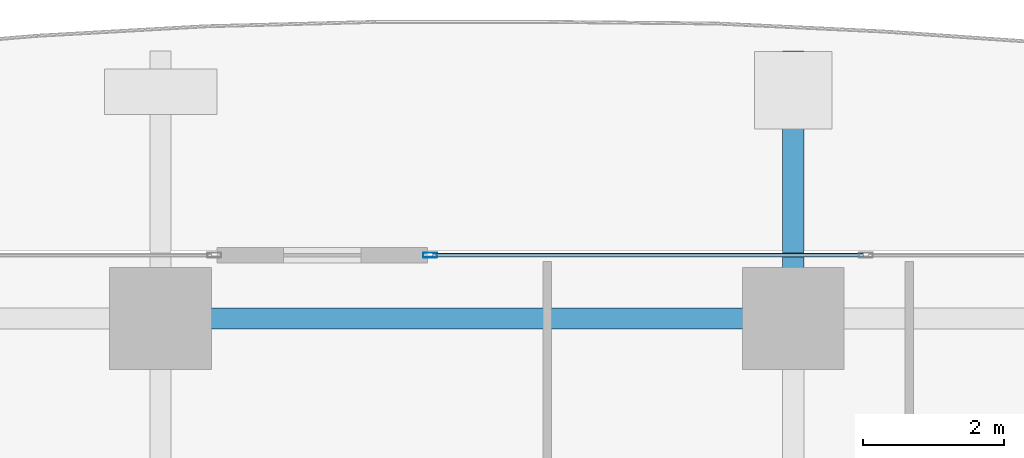
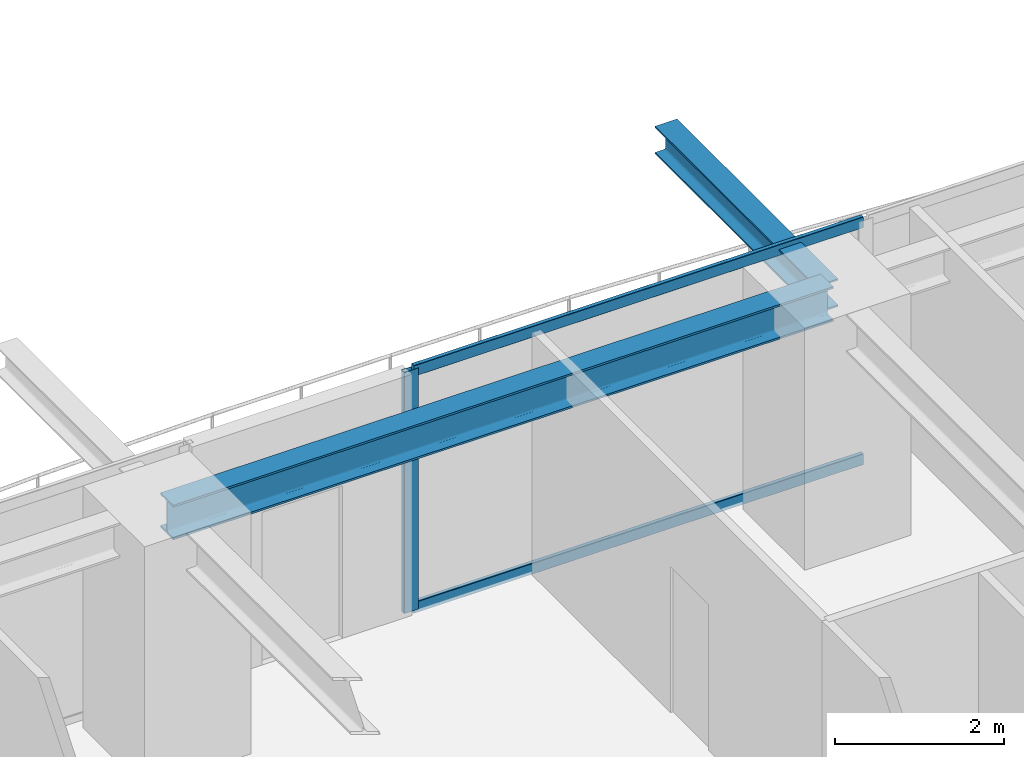
# One storey, part 21 of 38: 3 members, 2 beams, 1 element without a shape of its own.
"""IFC4 building model written with IfcOpenShell, lengths in metres."""

from ifc_helpers import new_model, si_unit, direction, frame, origin, origin_2d, place, context, subcontext, project, spatial, hollow_rectangle, i_section, extrude, source, transform, mapped, material, layer, layer_set, material_profile, profile_set, type_object, element, aggregate, save


model = new_model("IFC4")

# Units and contexts
model_context = context("Model", 3, precision=1e-05, world=origin(), true_north=direction((0.0, 1.0)))
body_context = subcontext(model_context, "Body", "Model", "MODEL_VIEW")
ifc_project = project(units=[si_unit("LENGTHUNIT", "METRE"), si_unit("AREAUNIT", "SQUARE_METRE"), si_unit("VOLUMEUNIT", "CUBIC_METRE"), si_unit("PLANEANGLEUNIT", "RADIAN"), si_unit("MASSUNIT", "GRAM", prefix="KILO")], contexts=[model_context])

# Site, building, storey
site_placement = place(None, origin())
site = spatial("IfcSite", under=ifc_project, at=site_placement, CompositionType="ELEMENT")
building_placement = place(site_placement, origin())
building = spatial("IfcBuilding", under=site, at=building_placement, Name="Serunith Strait Residences", CompositionType="ELEMENT")
storey_placement = place(building_placement, frame((0.0, 0.0, 67.949951171875)))
storey = spatial("IfcBuildingStorey", under=building, at=storey_placement, Name="L16", CompositionType="ELEMENT", Elevation=67.949951171875)

# Beams
ifc_material_1 = material(Name="Steel S355J2", Category="steel")
ifc_material_profile_1 = material_profile(ifc_material_1, i_section(OverallWidth=0.300048828125, OverallDepth=0.5, WebThickness=0.014404296875, FlangeThickness=0.028076171875, FilletRadius=0.027099609375, at=origin_2d()), Name="HEB 500")
ifc_profile_set_1 = profile_set([ifc_material_profile_1], Name="Steel S355J2")
beam_type_1 = type_object("IfcBeamType", Name="BM-HEB500", PredefinedType="BEAM", material=ifc_profile_set_1)
shared_shape_1 = source(origin(), body_context, "Body", "SweptSolid", [
    extrude(i_section(OverallWidth=0.300048828125, OverallDepth=0.5, WebThickness=0.014404296875, FlangeThickness=0.028076171875, FilletRadius=0.027099609375, at=origin_2d()), origin(), (0.0, 0.0, 1.0), 9.0),
])
beam_1_placement = place(storey_placement, frame((36.89990234375, 49.300048828125, 3.237060546875), z_axis=(-1.0, 0.0, 0.0), x_axis=(0.0, -1.0, 0.0)))
element("IfcBeam", 1, at=beam_1_placement, inside=storey, type_object=beam_type_1, Name="L16 Perimeter Ring Beam 10", PredefinedType="BEAM", context=body_context, shape_type="MappedRepresentation", body=[
    mapped(shared_shape_1, transform((0.0, 0.0, 0.0), scale=1.0)),
])
ifc_material_profile_2 = material_profile(ifc_material_1, i_section(OverallWidth=0.300048828125, OverallDepth=0.39990234375, WebThickness=0.013427734375, FlangeThickness=0.02392578125, FilletRadius=0.027099609375, at=origin_2d()), Name="HEB 400")
ifc_profile_set_2 = profile_set([ifc_material_profile_2], Name="Steel S355J2")
beam_type_2 = type_object("IfcBeamType", Name="BM-HEB400", PredefinedType="BEAM", material=ifc_profile_set_2)
shared_shape_2 = source(origin(), body_context, "Body", "SweptSolid", [
    extrude(i_section(OverallWidth=0.300048828125, OverallDepth=0.39990234375, WebThickness=0.013427734375, FlangeThickness=0.02392578125, FilletRadius=0.027099609375, at=origin_2d()), origin(), (0.0, 0.0, 1.0), 3.800048828125),
])
beam_2_placement = place(storey_placement, frame((36.89990234375, 49.300048828125, 3.257080078125), z_axis=(0.0, 1.0, 0.0), x_axis=(-1.0, 0.0, 0.0)))
element("IfcBeam", 2, at=beam_2_placement, inside=storey, type_object=beam_type_2, Name="L17 Cantilevered Balcony Rib TC-N3", PredefinedType="BEAM", context=body_context, shape_type="MappedRepresentation", body=[
    mapped(shared_shape_2, transform((0.0, 0.0, 0.0), scale=1.0)),
])

# Curtain wall, members
ifc_material_2 = material(Name="Pale-Champagne Anodised Aluminium", Category="aluminium")
ifc_layer = layer(ifc_material_2, 0.199951171875, Name="Pale-Champagne Anodised Aluminium")
ifc_layer_set = layer_set([ifc_layer], Name="Pale-Champagne Anodised Aluminium")
curtain_wall_type = type_object("IfcCurtainWallType", Name="CW-SYS1", PredefinedType="NOTDEFINED", material=ifc_layer_set)
curtain_wall_placement = place(storey_placement, origin())
curtain_wall = element("IfcCurtainWall", 3, at=curtain_wall_placement, inside=storey, type_object=curtain_wall_type, Name="L16 N Unitised Fritted Curtain Wall", PredefinedType="NOTDEFINED")
ifc_material_profile_3 = material_profile(ifc_material_2, hollow_rectangle(XDim=0.070068359375, YDim=0.199951171875, WallThickness=0.00390625, InnerFilletRadius=0.006103515625, OuterFilletRadius=0.010009765625, at=origin_2d()), Name="ALU 200x70x4")
ifc_profile_set_3 = profile_set([ifc_material_profile_3], Name="Pale-Champagne Anodised Aluminium")
member_type_1 = type_object("IfcMemberType", Name="CW-SYS1-MULL", PredefinedType="MULLION", material=ifc_profile_set_3)
shared_shape_3 = source(origin(), body_context, "Body", "SweptSolid", [
    extrude(hollow_rectangle(XDim=0.070068359375, YDim=0.199951171875, WallThickness=0.00390625, InnerFilletRadius=0.006103515625, OuterFilletRadius=0.010009765625, at=origin_2d()), origin(), (0.0, 0.0, 1.0), 3.47509765625),
])
member_1_placement = place(storey_placement, frame((31.735107421875, 50.199951171875, 0.0), z_axis=(0.0, 0.0, 1.0), x_axis=(0.0, -1.0, 0.0)))
member_1 = element("IfcMember", 4, at=member_1_placement, type_object=member_type_1, Name="CW-1 mullion 4", PredefinedType="MULLION", context=body_context, shape_type="MappedRepresentation", body=[
    mapped(shared_shape_3, transform((0.0, 0.0, 0.0), scale=1.0)),
])
ifc_material_profile_4 = material_profile(ifc_material_2, hollow_rectangle(XDim=0.06005859375, YDim=0.159912109375, WallThickness=0.00341796875, InnerFilletRadius=0.00537109375, OuterFilletRadius=0.0087890625, at=origin_2d()), Name="ALU 160x60x3.5")
ifc_profile_set_4 = profile_set([ifc_material_profile_4], Name="Pale-Champagne Anodised Aluminium")
member_type_2 = type_object("IfcMemberType", Name="CW-SYS1-TRAN", PredefinedType="USERDEFINED", material=ifc_profile_set_4)
shared_shape_4 = source(origin(), body_context, "Body", "SweptSolid", [
    extrude(hollow_rectangle(XDim=0.06005859375, YDim=0.159912109375, WallThickness=0.00341796875, InnerFilletRadius=0.00537109375, OuterFilletRadius=0.0087890625, at=origin_2d()), origin(), (0.0, 0.0, 1.0), 6.12841796875),
])
member_2_placement = place(storey_placement, frame((37.8984375, 50.199951171875, 0.030029296875), z_axis=(-1.0, 0.0, 0.0), x_axis=(0.0, -1.0, 0.0)))
member_2 = element("IfcMember", 5, at=member_2_placement, type_object=member_type_2, Name="CW-1 transom 3.1", ObjectType="TRANSOM", PredefinedType="USERDEFINED", context=body_context, shape_type="MappedRepresentation", body=[
    mapped(shared_shape_4, transform((0.0, 0.0, 0.0), scale=1.0)),
])
member_3_placement = place(storey_placement, frame((37.8984375, 50.199951171875, 3.445068359375), z_axis=(-1.0, 0.0, 0.0), x_axis=(0.0, -1.0, 0.0)))
member_3 = element("IfcMember", 6, at=member_3_placement, type_object=member_type_2, Name="CW-1 transom 3.2", ObjectType="TRANSOM", PredefinedType="USERDEFINED", context=body_context, shape_type="MappedRepresentation", body=[
    mapped(shared_shape_4, transform((0.0, 0.0, 0.0), scale=1.0)),
])
aggregate(curtain_wall, [member_1, member_2, member_3])

save(model, "model.ifc")
